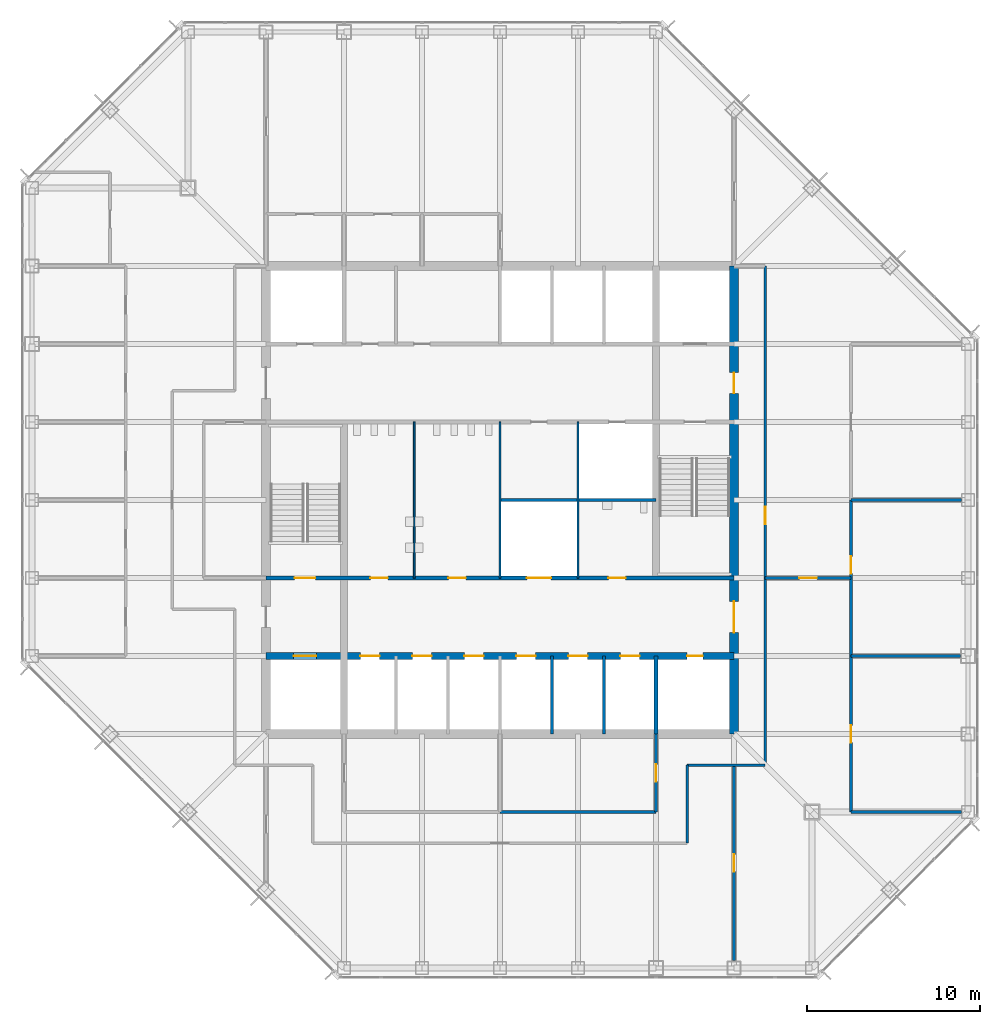
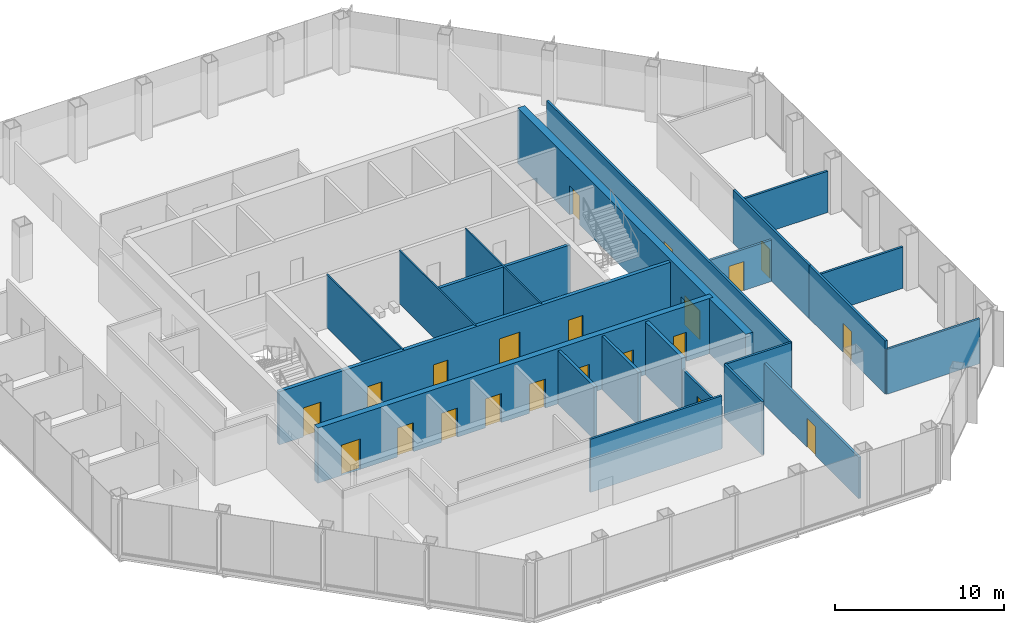
# One storey, part 9 of 13: 22 walls, 21 doors, 21 openings.
"""IFC4 building model written with IfcOpenShell, lengths in metres."""

from ifc_helpers import new_model, si_unit, direction, frame, frame_2d, origin, place, context, subcontext, project, spatial, rectangle, extrude, material, layer, layer_set, type_object, element, fill, save


model = new_model("IFC4")

# Units and contexts
model_context = context("Model", 3, precision=1e-05, world=origin(), true_north=direction((0.0, 1.0)))
body_context = subcontext(model_context, "Body", "Model", "MODEL_VIEW")
ifc_project = project(units=[si_unit("LENGTHUNIT", "METRE"), si_unit("AREAUNIT", "SQUARE_METRE"), si_unit("VOLUMEUNIT", "CUBIC_METRE"), si_unit("PLANEANGLEUNIT", "RADIAN"), si_unit("MASSUNIT", "GRAM", prefix="KILO")], contexts=[model_context])

# Site, building, storey
site_placement = place(None, origin())
site = spatial("IfcSite", under=ifc_project, at=site_placement, CompositionType="ELEMENT")
building_placement = place(site_placement, origin())
building = spatial("IfcBuilding", under=site, at=building_placement, Name="Corais Broadcast Tower", CompositionType="ELEMENT")
storey_placement = place(building_placement, frame((0.0, 0.0, 151.60009765625)))
storey = spatial("IfcBuildingStorey", under=building, at=storey_placement, Name="L34", CompositionType="ELEMENT", Elevation=151.60009765625)

# Wall
ifc_material_1 = material(Name="Concrete blockwork class A, grouted, two-hour", Category="masonry")
ifc_layer_1 = layer(ifc_material_1, 0.25)
ifc_layer_set_1 = layer_set([ifc_layer_1], Name="Concrete blockwork class A, grouted, two-hour")
wall_type_1 = type_object("IfcWallType", Name="Core lobby wall 250", PredefinedType="SOLIDWALL", material=ifc_layer_set_1)
wall_1_placement = place(storey_placement, frame((36.0, 13.5, 0.0), z_axis=(0.0, 0.0, 1.0), x_axis=(0.0, 1.0, 0.0)))
element("IfcWall", 1, at=wall_1_placement, inside=storey, type_object=wall_type_1, Name="CL2 core shaft wall X36A L34", PredefinedType="SOLIDWALL", context=body_context, shape_type="SweptSolid", body=[
    extrude(rectangle(XDim=4.5, YDim=0.25, at=frame_2d((2.25, 0.0))), origin(), (0.0, 0.0, 1.0), 3.83984375),
])

# Wall, openings, doors
wall_2_placement = place(storey_placement, frame((13.5, 22.5, 0.0), z_axis=(0.0, 0.0, 1.0), x_axis=(1.0, 0.0, 0.0)))
wall_2 = element("IfcWall", 2, at=wall_2_placement, inside=storey, type_object=wall_type_1, Name="CL2 core lobby wall Y225 L34", PredefinedType="SOLIDWALL", context=body_context, shape_type="SweptSolid", body=[
    extrude(rectangle(XDim=27.0, YDim=0.25, at=frame_2d((13.5, 0.0))), origin(), (0.0, 0.0, 1.0), 3.83984375),
])
opening_1_placement = place(wall_2_placement, frame((1.64990234375, 0.0, 0.0)))
opening_1 = element("IfcOpeningElement", 3, at=opening_1_placement, cuts=wall_2, Name="Opening FD1", PredefinedType="OPENING", context=body_context, shape_type="SweptSolid", body=[
    extrude(rectangle(XDim=1.199951171875, YDim=2.10009765625, at=frame_2d((0.60009765625, 1.050048828125))), frame((0.0, 0.135009765625, 0.0), z_axis=(0.0, -1.0, 0.0), x_axis=(1.0, 0.0, 0.0)), (0.0, 0.0, 1.0), 0.27001953125),
])
opening_2_placement = place(wall_2_placement, frame((6.02490234375, 0.0, 0.0)))
opening_2 = element("IfcOpeningElement", 4, at=opening_2_placement, cuts=wall_2, Name="Opening WD1", PredefinedType="OPENING", context=body_context, shape_type="SweptSolid", body=[
    extrude(rectangle(XDim=1.0, YDim=2.10009765625, at=frame_2d((0.5, 1.050048828125))), frame((0.0, 0.135009765625, 0.0), z_axis=(0.0, -1.0, 0.0), x_axis=(1.0, 0.0, 0.0)), (0.0, 0.0, 1.0), 0.27001953125),
])
opening_3_placement = place(wall_2_placement, frame((10.52490234375, 0.0, 0.0)))
opening_3 = element("IfcOpeningElement", 5, at=opening_3_placement, cuts=wall_2, Name="Opening WD1", PredefinedType="OPENING", context=body_context, shape_type="SweptSolid", body=[
    extrude(rectangle(XDim=1.0, YDim=2.10009765625, at=frame_2d((0.5, 1.050048828125))), frame((0.0, 0.135009765625, 0.0), z_axis=(0.0, -1.0, 0.0), x_axis=(1.0, 0.0, 0.0)), (0.0, 0.0, 1.0), 0.27001953125),
])
opening_4_placement = place(wall_2_placement, frame((19.75, 0.0, 0.0)))
opening_4 = element("IfcOpeningElement", 6, at=opening_4_placement, cuts=wall_2, Name="Opening WD1", PredefinedType="OPENING", context=body_context, shape_type="SweptSolid", body=[
    extrude(rectangle(XDim=1.0, YDim=2.10009765625, at=frame_2d((0.5, 1.050048828125))), frame((0.0, 0.135009765625, 0.0), z_axis=(0.0, -1.0, 0.0), x_axis=(1.0, 0.0, 0.0)), (0.0, 0.0, 1.0), 0.27001953125),
])
opening_5_placement = place(wall_2_placement, frame((15.050048828125, 0.0, 0.0)))
opening_5 = element("IfcOpeningElement", 7, at=opening_5_placement, cuts=wall_2, Name="Opening LD3", PredefinedType="OPENING", context=body_context, shape_type="SweptSolid", body=[
    extrude(rectangle(XDim=1.39990234375, YDim=2.39990234375, at=frame_2d((0.699951171875, 1.199951171875))), frame((0.0, 0.135009765625, 0.0), z_axis=(0.0, -1.0, 0.0), x_axis=(1.0, 0.0, 0.0)), (0.0, 0.0, 1.0), 0.27001953125),
])
ifc_material_2 = material(Name="Steel fire door", Category="steel")
door_type_1 = type_object("IfcDoorType", Name="Fire door 1200x2100", OperationType="SINGLE_SWING_LEFT", PredefinedType="DOOR", material=ifc_material_2)
door_1_placement = place(opening_1_placement, origin())
door_1 = element("IfcDoor", 8, at=door_1_placement, inside=storey, type_object=door_type_1, Name="FD1 stair A door L34", OperationType="SINGLE_SWING_LEFT", OverallHeight=2.10009765625, OverallWidth=1.199951171875, PredefinedType="DOOR", context=body_context, shape_type="SweptSolid", body=[
    extrude(rectangle(XDim=1.199951171875, YDim=2.10009765625, at=frame_2d((0.60009765625, 1.050048828125))), frame((0.0, 0.02490234375, 0.0), z_axis=(0.0, -1.0, 0.0), x_axis=(1.0, 0.0, 0.0)), (0.0, 0.0, 1.0), 0.050048828125),
])
fill(opening_1, door_1)
ifc_material_3 = material(Name="Stainless steel lift door", Category="steel")
door_type_2 = type_object("IfcDoorType", Name="Service lift landing door 1400x2400", OperationType="SLIDING_TO_LEFT", PredefinedType="DOOR", material=ifc_material_3)
door_2_placement = place(opening_5_placement, origin())
door_2 = element("IfcDoor", 9, at=door_2_placement, inside=storey, type_object=door_type_2, Name="LD3 SL1 landing door L34", OperationType="SLIDING_TO_LEFT", OverallHeight=2.39990234375, OverallWidth=1.39990234375, PredefinedType="DOOR", context=body_context, shape_type="SweptSolid", body=[
    extrude(rectangle(XDim=1.39990234375, YDim=2.39990234375, at=frame_2d((0.699951171875, 1.199951171875))), frame((0.0, 0.02490234375, 0.0), z_axis=(0.0, -1.0, 0.0), x_axis=(1.0, 0.0, 0.0)), (0.0, 0.0, 1.0), 0.050048828125),
])
fill(opening_5, door_2)
ifc_material_4 = material(Name="Timber door", Category="wood")
door_type_3 = type_object("IfcDoorType", Name="Toilet door 1000x2100", OperationType="SINGLE_SWING_LEFT", PredefinedType="DOOR", material=ifc_material_4)
door_3_placement = place(opening_2_placement, origin())
door_3 = element("IfcDoor", 10, at=door_3_placement, inside=storey, type_object=door_type_3, Name="WD1 WC male door L34", OperationType="SINGLE_SWING_LEFT", OverallHeight=2.10009765625, OverallWidth=1.0, PredefinedType="DOOR", context=body_context, shape_type="SweptSolid", body=[
    extrude(rectangle(XDim=1.0, YDim=2.10009765625, at=frame_2d((0.5, 1.050048828125))), frame((0.0, 0.02490234375, 0.0), z_axis=(0.0, -1.0, 0.0), x_axis=(1.0, 0.0, 0.0)), (0.0, 0.0, 1.0), 0.050048828125),
])
fill(opening_2, door_3)
door_4_placement = place(opening_3_placement, origin())
door_4 = element("IfcDoor", 11, at=door_4_placement, inside=storey, type_object=door_type_3, Name="WD1 WC female door L34", OperationType="SINGLE_SWING_LEFT", OverallHeight=2.10009765625, OverallWidth=1.0, PredefinedType="DOOR", context=body_context, shape_type="SweptSolid", body=[
    extrude(rectangle(XDim=1.0, YDim=2.10009765625, at=frame_2d((0.5, 1.050048828125))), frame((0.0, 0.02490234375, 0.0), z_axis=(0.0, -1.0, 0.0), x_axis=(1.0, 0.0, 0.0)), (0.0, 0.0, 1.0), 0.050048828125),
])
fill(opening_3, door_4)
door_5_placement = place(opening_4_placement, origin())
door_5 = element("IfcDoor", 12, at=door_5_placement, inside=storey, type_object=door_type_3, Name="WD1 accessible WC door L34", OperationType="SINGLE_SWING_RIGHT", OverallHeight=2.10009765625, OverallWidth=1.0, PredefinedType="DOOR", context=body_context, shape_type="SweptSolid", body=[
    extrude(rectangle(XDim=1.0, YDim=2.10009765625, at=frame_2d((0.5, 1.050048828125))), frame((0.0, 0.02490234375, 0.0), z_axis=(0.0, -1.0, 0.0), x_axis=(1.0, 0.0, 0.0)), (0.0, 0.0, 1.0), 0.050048828125),
])
fill(opening_4, door_5)

ifc_material_5 = material(Name="Concrete C50/60", Category="concrete")
ifc_layer_2 = layer(ifc_material_5, 0.39990234375)
ifc_layer_set_2 = layer_set([ifc_layer_2], Name="Concrete C50/60")
wall_type_2 = type_object("IfcWallType", Name="Core wall 400", PredefinedType="SHEAR", material=ifc_layer_set_2)
wall_3_placement = place(storey_placement, frame((13.5, 18.0, 0.0), z_axis=(0.0, 0.0, 1.0), x_axis=(1.0, 0.0, 0.0)))
wall_3 = element("IfcWall", 13, at=wall_3_placement, inside=storey, type_object=wall_type_2, Name="CR400 core wall Y18 L34", PredefinedType="SHEAR", context=body_context, shape_type="SweptSolid", body=[
    extrude(rectangle(XDim=27.0, YDim=0.39990234375, at=frame_2d((13.5, 0.0))), origin(), (0.0, 0.0, 1.0), 4.0),
])
opening_6_placement = place(wall_3_placement, frame((24.300048828125, 0.0, 0.0)))
opening_6 = element("IfcOpeningElement", 14, at=opening_6_placement, cuts=wall_3, Name="Opening RD1", PredefinedType="OPENING", context=body_context, shape_type="SweptSolid", body=[
    extrude(rectangle(XDim=0.89990234375, YDim=2.10009765625, at=frame_2d((0.449951171875, 1.050048828125))), frame((0.0, 0.2099609375, 0.0), z_axis=(0.0, -1.0, 0.0), x_axis=(1.0, 0.0, 0.0)), (0.0, 0.0, 1.0), 0.419921875),
])
opening_7_placement = place(wall_3_placement, frame((5.449951171875, 0.0, 0.0)))
opening_7 = element("IfcOpeningElement", 15, at=opening_7_placement, cuts=wall_3, Name="Opening LD1", PredefinedType="OPENING", context=body_context, shape_type="SweptSolid", body=[
    extrude(rectangle(XDim=1.10009765625, YDim=2.10009765625, at=frame_2d((0.550048828125, 1.050048828125))), frame((0.0, 0.2099609375, 0.0), z_axis=(0.0, -1.0, 0.0), x_axis=(1.0, 0.0, 0.0)), (0.0, 0.0, 1.0), 0.419921875),
])
opening_8_placement = place(wall_3_placement, frame((8.449951171875, 0.0, 0.0)))
opening_8 = element("IfcOpeningElement", 16, at=opening_8_placement, cuts=wall_3, Name="Opening LD1", PredefinedType="OPENING", context=body_context, shape_type="SweptSolid", body=[
    extrude(rectangle(XDim=1.10009765625, YDim=2.10009765625, at=frame_2d((0.550048828125, 1.050048828125))), frame((0.0, 0.2099609375, 0.0), z_axis=(0.0, -1.0, 0.0), x_axis=(1.0, 0.0, 0.0)), (0.0, 0.0, 1.0), 0.419921875),
])
opening_9_placement = place(wall_3_placement, frame((11.449951171875, 0.0, 0.0)))
opening_9 = element("IfcOpeningElement", 17, at=opening_9_placement, cuts=wall_3, Name="Opening LD1", PredefinedType="OPENING", context=body_context, shape_type="SweptSolid", body=[
    extrude(rectangle(XDim=1.10009765625, YDim=2.10009765625, at=frame_2d((0.550048828125, 1.050048828125))), frame((0.0, 0.2099609375, 0.0), z_axis=(0.0, -1.0, 0.0), x_axis=(1.0, 0.0, 0.0)), (0.0, 0.0, 1.0), 0.419921875),
])
opening_10_placement = place(wall_3_placement, frame((14.449951171875, 0.0, 0.0)))
opening_10 = element("IfcOpeningElement", 18, at=opening_10_placement, cuts=wall_3, Name="Opening LD1", PredefinedType="OPENING", context=body_context, shape_type="SweptSolid", body=[
    extrude(rectangle(XDim=1.10009765625, YDim=2.10009765625, at=frame_2d((0.550048828125, 1.050048828125))), frame((0.0, 0.2099609375, 0.0), z_axis=(0.0, -1.0, 0.0), x_axis=(1.0, 0.0, 0.0)), (0.0, 0.0, 1.0), 0.419921875),
])
opening_11_placement = place(wall_3_placement, frame((17.449951171875, 0.0, 0.0)))
opening_11 = element("IfcOpeningElement", 19, at=opening_11_placement, cuts=wall_3, Name="Opening LD1", PredefinedType="OPENING", context=body_context, shape_type="SweptSolid", body=[
    extrude(rectangle(XDim=1.10009765625, YDim=2.10009765625, at=frame_2d((0.550048828125, 1.050048828125))), frame((0.0, 0.2099609375, 0.0), z_axis=(0.0, -1.0, 0.0), x_axis=(1.0, 0.0, 0.0)), (0.0, 0.0, 1.0), 0.419921875),
])
opening_12_placement = place(wall_3_placement, frame((20.449951171875, 0.0, 0.0)))
opening_12 = element("IfcOpeningElement", 20, at=opening_12_placement, cuts=wall_3, Name="Opening LD1", PredefinedType="OPENING", context=body_context, shape_type="SweptSolid", body=[
    extrude(rectangle(XDim=1.10009765625, YDim=2.10009765625, at=frame_2d((0.550048828125, 1.050048828125))), frame((0.0, 0.2099609375, 0.0), z_axis=(0.0, -1.0, 0.0), x_axis=(1.0, 0.0, 0.0)), (0.0, 0.0, 1.0), 0.419921875),
])
opening_13_placement = place(wall_3_placement, frame((1.60009765625, 0.0, 0.0)))
opening_13 = element("IfcOpeningElement", 21, at=opening_13_placement, cuts=wall_3, Name="Opening LD2", PredefinedType="OPENING", context=body_context, shape_type="SweptSolid", body=[
    extrude(rectangle(XDim=1.300048828125, YDim=2.199951171875, at=frame_2d((0.64990234375, 1.10009765625))), frame((0.0, 0.2099609375, 0.0), z_axis=(0.0, -1.0, 0.0), x_axis=(1.0, 0.0, 0.0)), (0.0, 0.0, 1.0), 0.419921875),
])
ifc_material_6 = material(Name="Stainless steel lift door", Category="steel")
door_type_4 = type_object("IfcDoorType", Name="Lift landing door 1100x2100", OperationType="SLIDING_TO_LEFT", PredefinedType="DOOR", material=ifc_material_6)
door_6_placement = place(opening_7_placement, origin())
door_6 = element("IfcDoor", 22, at=door_6_placement, inside=storey, type_object=door_type_4, Name="LD1 PM1 landing door L34", OperationType="SLIDING_TO_LEFT", OverallHeight=2.10009765625, OverallWidth=1.10009765625, PredefinedType="DOOR", context=body_context, shape_type="SweptSolid", body=[
    extrude(rectangle(XDim=1.10009765625, YDim=2.10009765625, at=frame_2d((0.550048828125, 1.050048828125))), frame((0.0, 0.02490234375, 0.0), z_axis=(0.0, -1.0, 0.0), x_axis=(1.0, 0.0, 0.0)), (0.0, 0.0, 1.0), 0.050048828125),
])
fill(opening_7, door_6)
door_7_placement = place(opening_8_placement, origin())
door_7 = element("IfcDoor", 23, at=door_7_placement, inside=storey, type_object=door_type_4, Name="LD1 PM2 landing door L34", OperationType="SLIDING_TO_LEFT", OverallHeight=2.10009765625, OverallWidth=1.10009765625, PredefinedType="DOOR", context=body_context, shape_type="SweptSolid", body=[
    extrude(rectangle(XDim=1.10009765625, YDim=2.10009765625, at=frame_2d((0.550048828125, 1.050048828125))), frame((0.0, 0.02490234375, 0.0), z_axis=(0.0, -1.0, 0.0), x_axis=(1.0, 0.0, 0.0)), (0.0, 0.0, 1.0), 0.050048828125),
])
fill(opening_8, door_7)
door_8_placement = place(opening_9_placement, origin())
door_8 = element("IfcDoor", 24, at=door_8_placement, inside=storey, type_object=door_type_4, Name="LD1 PM3 landing door L34", OperationType="SLIDING_TO_LEFT", OverallHeight=2.10009765625, OverallWidth=1.10009765625, PredefinedType="DOOR", context=body_context, shape_type="SweptSolid", body=[
    extrude(rectangle(XDim=1.10009765625, YDim=2.10009765625, at=frame_2d((0.550048828125, 1.050048828125))), frame((0.0, 0.02490234375, 0.0), z_axis=(0.0, -1.0, 0.0), x_axis=(1.0, 0.0, 0.0)), (0.0, 0.0, 1.0), 0.050048828125),
])
fill(opening_9, door_8)
door_9_placement = place(opening_10_placement, origin())
door_9 = element("IfcDoor", 25, at=door_9_placement, inside=storey, type_object=door_type_4, Name="LD1 PM4 landing door L34", OperationType="SLIDING_TO_LEFT", OverallHeight=2.10009765625, OverallWidth=1.10009765625, PredefinedType="DOOR", context=body_context, shape_type="SweptSolid", body=[
    extrude(rectangle(XDim=1.10009765625, YDim=2.10009765625, at=frame_2d((0.550048828125, 1.050048828125))), frame((0.0, 0.02490234375, 0.0), z_axis=(0.0, -1.0, 0.0), x_axis=(1.0, 0.0, 0.0)), (0.0, 0.0, 1.0), 0.050048828125),
])
fill(opening_10, door_9)
door_10_placement = place(opening_11_placement, origin())
door_10 = element("IfcDoor", 26, at=door_10_placement, inside=storey, type_object=door_type_4, Name="LD1 PM5 landing door L34", OperationType="SLIDING_TO_LEFT", OverallHeight=2.10009765625, OverallWidth=1.10009765625, PredefinedType="DOOR", context=body_context, shape_type="SweptSolid", body=[
    extrude(rectangle(XDim=1.10009765625, YDim=2.10009765625, at=frame_2d((0.550048828125, 1.050048828125))), frame((0.0, 0.02490234375, 0.0), z_axis=(0.0, -1.0, 0.0), x_axis=(1.0, 0.0, 0.0)), (0.0, 0.0, 1.0), 0.050048828125),
])
fill(opening_11, door_10)
door_11_placement = place(opening_12_placement, origin())
door_11 = element("IfcDoor", 27, at=door_11_placement, inside=storey, type_object=door_type_4, Name="LD1 PM6 landing door L34", OperationType="SLIDING_TO_LEFT", OverallHeight=2.10009765625, OverallWidth=1.10009765625, PredefinedType="DOOR", context=body_context, shape_type="SweptSolid", body=[
    extrude(rectangle(XDim=1.10009765625, YDim=2.10009765625, at=frame_2d((0.550048828125, 1.050048828125))), frame((0.0, 0.02490234375, 0.0), z_axis=(0.0, -1.0, 0.0), x_axis=(1.0, 0.0, 0.0)), (0.0, 0.0, 1.0), 0.050048828125),
])
fill(opening_12, door_11)
ifc_material_7 = material(Name="Stainless steel lift door", Category="steel")
door_type_5 = type_object("IfcDoorType", Name="Lift landing door 1300x2200", OperationType="SLIDING_TO_LEFT", PredefinedType="DOOR", material=ifc_material_7)
door_12_placement = place(opening_13_placement, origin())
door_12 = element("IfcDoor", 28, at=door_12_placement, inside=storey, type_object=door_type_5, Name="LD2 FL1 landing door L34", OperationType="SLIDING_TO_LEFT", OverallHeight=2.199951171875, OverallWidth=1.300048828125, PredefinedType="DOOR", context=body_context, shape_type="SweptSolid", body=[
    extrude(rectangle(XDim=1.300048828125, YDim=2.199951171875, at=frame_2d((0.64990234375, 1.10009765625))), frame((0.0, 0.02490234375, 0.0), z_axis=(0.0, -1.0, 0.0), x_axis=(1.0, 0.0, 0.0)), (0.0, 0.0, 1.0), 0.050048828125),
])
fill(opening_13, door_12)
ifc_material_8 = material(Name="Steel fire door", Category="steel")
door_type_6 = type_object("IfcDoorType", Name="Riser door 900x2100", OperationType="SINGLE_SWING_LEFT", PredefinedType="DOOR", material=ifc_material_8)
door_13_placement = place(opening_6_placement, origin())
door_13 = element("IfcDoor", 29, at=door_13_placement, inside=storey, type_object=door_type_6, Name="RD1 riser door L34", OperationType="SINGLE_SWING_RIGHT", OverallHeight=2.10009765625, OverallWidth=0.89990234375, PredefinedType="DOOR", context=body_context, shape_type="SweptSolid", body=[
    extrude(rectangle(XDim=0.89990234375, YDim=2.10009765625, at=frame_2d((0.449951171875, 1.050048828125))), frame((0.0, 0.02490234375, 0.0), z_axis=(0.0, -1.0, 0.0), x_axis=(1.0, 0.0, 0.0)), (0.0, 0.0, 1.0), 0.050048828125),
])
fill(opening_6, door_13)

ifc_material_9 = material(Name="Concrete C50/60", Category="concrete")
ifc_layer_3 = layer(ifc_material_9, 0.5)
ifc_layer_set_3 = layer_set([ifc_layer_3], Name="Concrete C50/60")
wall_type_3 = type_object("IfcWallType", Name="Core wall 500", PredefinedType="SHEAR", material=ifc_layer_set_3)
wall_4_placement = place(storey_placement, frame((40.5, 13.5, 0.0), z_axis=(0.0, 0.0, 1.0), x_axis=(0.0, 1.0, 0.0)))
wall_4 = element("IfcWall", 30, at=wall_4_placement, inside=storey, type_object=wall_type_3, Name="CR500 core wall E L34", PredefinedType="SHEAR", context=body_context, shape_type="SweptSolid", body=[
    extrude(rectangle(XDim=27.0, YDim=0.5, at=frame_2d((13.5, 0.0))), origin(), (0.0, 0.0, 1.0), 4.0),
])
opening_14_placement = place(wall_4_placement, frame((5.85009765625, 0.0, 0.0)))
opening_14 = element("IfcOpeningElement", 31, at=opening_14_placement, cuts=wall_4, Name="Opening FD2", PredefinedType="OPENING", context=body_context, shape_type="SweptSolid", body=[
    extrude(rectangle(XDim=1.800048828125, YDim=2.10009765625, at=frame_2d((0.89990234375, 1.050048828125))), frame((0.0, 0.260009765625, 0.0), z_axis=(0.0, -1.0, 0.0), x_axis=(1.0, 0.0, 0.0)), (0.0, 0.0, 1.0), 0.52001953125),
])
opening_15_placement = place(wall_4_placement, frame((19.64990234375, 0.0, 0.0)))
opening_15 = element("IfcOpeningElement", 32, at=opening_15_placement, cuts=wall_4, Name="Opening FD1", PredefinedType="OPENING", context=body_context, shape_type="SweptSolid", body=[
    extrude(rectangle(XDim=1.199951171875, YDim=2.10009765625, at=frame_2d((0.60009765625, 1.050048828125))), frame((0.0, 0.260009765625, 0.0), z_axis=(0.0, -1.0, 0.0), x_axis=(1.0, 0.0, 0.0)), (0.0, 0.0, 1.0), 0.52001953125),
])
door_14_placement = place(opening_15_placement, origin())
door_14 = element("IfcDoor", 33, at=door_14_placement, inside=storey, type_object=door_type_1, Name="FD1 fire lobby B door L34", OperationType="SINGLE_SWING_RIGHT", OverallHeight=2.10009765625, OverallWidth=1.199951171875, PredefinedType="DOOR", context=body_context, shape_type="SweptSolid", body=[
    extrude(rectangle(XDim=1.199951171875, YDim=2.10009765625, at=frame_2d((0.60009765625, 1.050048828125))), frame((0.0, 0.02490234375, 0.0), z_axis=(0.0, -1.0, 0.0), x_axis=(1.0, 0.0, 0.0)), (0.0, 0.0, 1.0), 0.050048828125),
])
fill(opening_15, door_14)
ifc_material_10 = material(Name="Steel fire door", Category="steel")
door_type_7 = type_object("IfcDoorType", Name="Fire door pair 1800x2100", OperationType="DOUBLE_DOOR_SINGLE_SWING", PredefinedType="DOOR", material=ifc_material_10)
door_15_placement = place(opening_14_placement, origin())
door_15 = element("IfcDoor", 34, at=door_15_placement, inside=storey, type_object=door_type_7, Name="FD2 lift lobby door L34", OperationType="SINGLE_SWING_LEFT", OverallHeight=2.10009765625, OverallWidth=1.800048828125, PredefinedType="DOOR", context=body_context, shape_type="SweptSolid", body=[
    extrude(rectangle(XDim=1.800048828125, YDim=2.10009765625, at=frame_2d((0.89990234375, 1.050048828125))), frame((0.0, 0.02490234375, 0.0), z_axis=(0.0, -1.0, 0.0), x_axis=(1.0, 0.0, 0.0)), (0.0, 0.0, 1.0), 0.050048828125),
])
fill(opening_14, door_15)

# Wall, opening, door
ifc_material_11 = material(Name="Gypsum board on steel studs", Category="steel")
ifc_layer_4 = layer(ifc_material_11, 0.14990234375)
ifc_layer_set_4 = layer_set([ifc_layer_4], Name="Gypsum board on steel studs")
wall_type_4 = type_object("IfcWallType", Name="Partition 150", PredefinedType="PARTITIONING", material=ifc_layer_set_4)
wall_5_placement = place(storey_placement, frame((42.300048828125, 11.699951171875, 0.0), z_axis=(0.0, 0.0, 1.0), x_axis=(0.0, 1.0, 0.0)))
wall_5 = element("IfcWall", 35, at=wall_5_placement, inside=storey, type_object=wall_type_4, Name="IW3 corridor wall L34", PredefinedType="PARTITIONING", context=body_context, shape_type="SweptSolid", body=[
    extrude(rectangle(XDim=28.800048828125, YDim=0.14990234375, at=frame_2d((14.39990234375, 0.0))), origin(), (0.0, 0.0, 1.0), 3.83984375),
])
opening_16_placement = place(wall_5_placement, frame((13.89990234375, 0.0, 0.0)))
opening_16 = element("IfcOpeningElement", 36, at=opening_16_placement, cuts=wall_5, Name="Opening D1", PredefinedType="OPENING", context=body_context, shape_type="SweptSolid", body=[
    extrude(rectangle(XDim=1.0, YDim=2.10009765625, at=frame_2d((0.5, 1.050048828125))), frame((0.0, 0.0849609375, 0.0), z_axis=(0.0, -1.0, 0.0), x_axis=(1.0, 0.0, 0.0)), (0.0, 0.0, 1.0), 0.169921875),
])
ifc_material_12 = material(Name="Timber door", Category="wood")
door_type_8 = type_object("IfcDoorType", Name="Single door 1000x2100", OperationType="SINGLE_SWING_LEFT", PredefinedType="DOOR", material=ifc_material_12)
door_16_placement = place(opening_16_placement, origin())
door_16 = element("IfcDoor", 37, at=door_16_placement, inside=storey, type_object=door_type_8, Name="D1 workplace door L34", OperationType="SINGLE_SWING_LEFT", OverallHeight=2.10009765625, OverallWidth=1.0, PredefinedType="DOOR", context=body_context, shape_type="SweptSolid", body=[
    extrude(rectangle(XDim=1.0, YDim=2.10009765625, at=frame_2d((0.5, 1.050048828125))), frame((0.0, 0.02490234375, 0.0), z_axis=(0.0, -1.0, 0.0), x_axis=(1.0, 0.0, 0.0)), (0.0, 0.0, 1.0), 0.050048828125),
])
fill(opening_16, door_16)

# Walls
for number, where, z_axis, x_axis, name in (
    (38, (37.800048828125, 7.199951171875, 0.0), (0.0, 0.0, 1.0), (0.0, 1.0, 0.0), "IW3 corridor wall L34"),
    (39, (37.800048828125, 11.699951171875, 0.0), (0.0, 0.0, 1.0), (1.0, 0.0, 0.0), "IW3 corridor wall L34"),
):
    element("IfcWall", number, at=place(storey_placement, frame(where, z_axis=z_axis, x_axis=x_axis)), inside=storey, type_object=wall_type_4, Name=name, PredefinedType="PARTITIONING", context=body_context, shape_type="SweptSolid", body=[
        extrude(rectangle(XDim=4.5, YDim=0.14990234375, at=frame_2d((2.25, 0.0))), origin(), (0.0, 0.0, 1.0), 3.83984375),
    ])
wall_6_placement = place(storey_placement, frame((47.25, 9.0, 0.0), z_axis=(0.0, 0.0, 1.0), x_axis=(1.0, 0.0, 0.0)))
element("IfcWall", 40, at=wall_6_placement, inside=storey, type_object=wall_type_4, Name="IW3 partition L34", PredefinedType="PARTITIONING", context=body_context, shape_type="SweptSolid", body=[
    extrude(rectangle(XDim=6.364990234375, YDim=0.14990234375, at=frame_2d((3.1826171875, 0.0))), origin(), (0.0, 0.0, 1.0), 3.22900390625),
])
wall_7_placement = place(storey_placement, frame((53.56494140625, 18.0, 0.0), z_axis=(0.0, 0.0, 1.0), x_axis=(-1.0, 0.0, 0.0)))
element("IfcWall", 41, at=wall_7_placement, inside=storey, type_object=wall_type_4, Name="IW3 partition L34", PredefinedType="PARTITIONING", context=body_context, shape_type="SweptSolid", body=[
    extrude(rectangle(XDim=6.31494140625, YDim=0.14990234375, at=frame_2d((3.157470703125, 0.0))), origin(), (0.0, 0.0, 1.0), 2.989013671875),
])

# Wall, opening, door
wall_8_placement = place(storey_placement, frame((47.25, 18.0, 0.0), z_axis=(0.0, 0.0, 1.0), x_axis=(0.0, -1.0, 0.0)))
wall_8 = element("IfcWall", 42, at=wall_8_placement, inside=storey, type_object=wall_type_4, Name="IW3 partition L34", PredefinedType="PARTITIONING", context=body_context, shape_type="SweptSolid", body=[
    extrude(rectangle(XDim=9.0, YDim=0.14990234375, at=frame_2d((4.5, 0.0))), origin(), (0.0, 0.0, 1.0), 3.83984375),
])
opening_17_placement = place(wall_8_placement, frame((4.0, 0.0, 0.0)))
opening_17 = element("IfcOpeningElement", 43, at=opening_17_placement, cuts=wall_8, Name="Opening D1", PredefinedType="OPENING", context=body_context, shape_type="SweptSolid", body=[
    extrude(rectangle(XDim=1.0, YDim=2.10009765625, at=frame_2d((0.5, 1.050048828125))), frame((0.0, 0.0849609375, 0.0), z_axis=(0.0, -1.0, 0.0), x_axis=(1.0, 0.0, 0.0)), (0.0, 0.0, 1.0), 0.169921875),
])
door_17_placement = place(opening_17_placement, origin())
door_17 = element("IfcDoor", 44, at=door_17_placement, inside=storey, type_object=door_type_8, Name="D1 Creative office door", OperationType="SINGLE_SWING_LEFT", OverallHeight=2.10009765625, OverallWidth=1.0, PredefinedType="DOOR", context=body_context, shape_type="SweptSolid", body=[
    extrude(rectangle(XDim=1.0, YDim=2.10009765625, at=frame_2d((0.5, 1.050048828125))), frame((0.0, 0.02490234375, 0.0), z_axis=(0.0, -1.0, 0.0), x_axis=(1.0, 0.0, 0.0)), (0.0, 0.0, 1.0), 0.050048828125),
])
fill(opening_17, door_17)

# Wall
wall_9_placement = place(storey_placement, frame((53.614990234375, 27.0, 0.0), z_axis=(0.0, 0.0, 1.0), x_axis=(-1.0, 0.0, 0.0)))
element("IfcWall", 45, at=wall_9_placement, inside=storey, type_object=wall_type_4, Name="IW3 partition L34", PredefinedType="PARTITIONING", context=body_context, shape_type="SweptSolid", body=[
    extrude(rectangle(XDim=6.364990234375, YDim=0.14990234375, at=frame_2d((3.1826171875, 0.0))), origin(), (0.0, 0.0, 1.0), 2.989013671875),
])

# Wall, opening, door
wall_10_placement = place(storey_placement, frame((47.25, 27.0, 0.0), z_axis=(0.0, 0.0, 1.0), x_axis=(0.0, -1.0, 0.0)))
wall_10 = element("IfcWall", 46, at=wall_10_placement, inside=storey, type_object=wall_type_4, Name="IW3 partition L34", PredefinedType="PARTITIONING", context=body_context, shape_type="SweptSolid", body=[
    extrude(rectangle(XDim=9.0, YDim=0.14990234375, at=frame_2d((4.5, 0.0))), origin(), (0.0, 0.0, 1.0), 3.83984375),
])
opening_18_placement = place(wall_10_placement, frame((3.25, 0.0, 0.0)))
opening_18 = element("IfcOpeningElement", 47, at=opening_18_placement, cuts=wall_10, Name="Opening D1", PredefinedType="OPENING", context=body_context, shape_type="SweptSolid", body=[
    extrude(rectangle(XDim=1.0, YDim=2.10009765625, at=frame_2d((0.5, 1.050048828125))), frame((0.0, 0.0849609375, 0.0), z_axis=(0.0, -1.0, 0.0), x_axis=(1.0, 0.0, 0.0)), (0.0, 0.0, 1.0), 0.169921875),
])
door_18_placement = place(opening_18_placement, origin())
door_18 = element("IfcDoor", 48, at=door_18_placement, inside=storey, type_object=door_type_8, Name="D1 Creative office door", OperationType="SINGLE_SWING_LEFT", OverallHeight=2.10009765625, OverallWidth=1.0, PredefinedType="DOOR", context=body_context, shape_type="SweptSolid", body=[
    extrude(rectangle(XDim=1.0, YDim=2.10009765625, at=frame_2d((0.5, 1.050048828125))), frame((0.0, 0.02490234375, 0.0), z_axis=(0.0, -1.0, 0.0), x_axis=(1.0, 0.0, 0.0)), (0.0, 0.0, 1.0), 0.050048828125),
])
fill(opening_18, door_18)

# Wall
wall_11_placement = place(storey_placement, frame((27.0, 9.0, 0.0), z_axis=(0.0, 0.0, 1.0), x_axis=(1.0, 0.0, 0.0)))
element("IfcWall", 49, at=wall_11_placement, inside=storey, type_object=wall_type_4, Name="IW3 partition L34", PredefinedType="PARTITIONING", context=body_context, shape_type="SweptSolid", body=[
    extrude(rectangle(XDim=9.0, YDim=0.14990234375, at=frame_2d((4.5, 0.0))), origin(), (0.0, 0.0, 1.0), 3.83984375),
])

# Wall, opening, door
wall_12_placement = place(storey_placement, frame((36.0, 9.0, 0.0), z_axis=(0.0, 0.0, 1.0), x_axis=(0.0, 1.0, 0.0)))
wall_12 = element("IfcWall", 50, at=wall_12_placement, inside=storey, type_object=wall_type_4, Name="IW3 partition L34", PredefinedType="PARTITIONING", context=body_context, shape_type="SweptSolid", body=[
    extrude(rectangle(XDim=4.5, YDim=0.14990234375, at=frame_2d((2.25, 0.0))), origin(), (0.0, 0.0, 1.0), 2.989013671875),
])
opening_19_placement = place(wall_12_placement, frame((1.75, 0.0, 0.0)))
opening_19 = element("IfcOpeningElement", 51, at=opening_19_placement, cuts=wall_12, Name="Opening D1", PredefinedType="OPENING", context=body_context, shape_type="SweptSolid", body=[
    extrude(rectangle(XDim=1.0, YDim=2.10009765625, at=frame_2d((0.5, 1.050048828125))), frame((0.0, 0.0849609375, 0.0), z_axis=(0.0, -1.0, 0.0), x_axis=(1.0, 0.0, 0.0)), (0.0, 0.0, 1.0), 0.169921875),
])
door_19_placement = place(opening_19_placement, origin())
door_19 = element("IfcDoor", 52, at=door_19_placement, inside=storey, type_object=door_type_8, Name="D1 Meeting room door", OperationType="SINGLE_SWING_LEFT", OverallHeight=2.10009765625, OverallWidth=1.0, PredefinedType="DOOR", context=body_context, shape_type="SweptSolid", body=[
    extrude(rectangle(XDim=1.0, YDim=2.10009765625, at=frame_2d((0.5, 1.050048828125))), frame((0.0, 0.02490234375, 0.0), z_axis=(0.0, -1.0, 0.0), x_axis=(1.0, 0.0, 0.0)), (0.0, 0.0, 1.0), 0.050048828125),
])
fill(opening_19, door_19)

wall_13_placement = place(storey_placement, frame((40.5, 0.419921875, 0.0), z_axis=(0.0, 0.0, 1.0), x_axis=(0.0, 1.0, 0.0)))
wall_13 = element("IfcWall", 53, at=wall_13_placement, inside=storey, type_object=wall_type_4, Name="IW3 partition L34", PredefinedType="PARTITIONING", context=body_context, shape_type="SweptSolid", body=[
    extrude(rectangle(XDim=11.280029296875, YDim=0.14990234375, at=frame_2d((5.64013671875, 0.0))), origin(), (0.0, 0.0, 1.0), 2.989013671875),
])
opening_20_placement = place(wall_13_placement, frame((5.139892578125, 0.0, 0.0)))
opening_20 = element("IfcOpeningElement", 54, at=opening_20_placement, cuts=wall_13, Name="Opening D1", PredefinedType="OPENING", context=body_context, shape_type="SweptSolid", body=[
    extrude(rectangle(XDim=1.0, YDim=2.10009765625, at=frame_2d((0.5, 1.050048828125))), frame((0.0, 0.0849609375, 0.0), z_axis=(0.0, -1.0, 0.0), x_axis=(1.0, 0.0, 0.0)), (0.0, 0.0, 1.0), 0.169921875),
])
door_20_placement = place(opening_20_placement, origin())
door_20 = element("IfcDoor", 55, at=door_20_placement, inside=storey, type_object=door_type_8, Name="D1 team room door L34", OperationType="SINGLE_SWING_LEFT", OverallHeight=2.10009765625, OverallWidth=1.0, PredefinedType="DOOR", context=body_context, shape_type="SweptSolid", body=[
    extrude(rectangle(XDim=1.0, YDim=2.10009765625, at=frame_2d((0.5, 1.050048828125))), frame((0.0, 0.02490234375, 0.0), z_axis=(0.0, -1.0, 0.0), x_axis=(1.0, 0.0, 0.0)), (0.0, 0.0, 1.0), 0.050048828125),
])
fill(opening_20, door_20)

wall_14_placement = place(storey_placement, frame((42.300048828125, 22.5, 0.0), z_axis=(0.0, 0.0, 1.0), x_axis=(1.0, 0.0, 0.0)))
wall_14 = element("IfcWall", 56, at=wall_14_placement, inside=storey, type_object=wall_type_4, Name="IW3 partition L34", PredefinedType="PARTITIONING", context=body_context, shape_type="SweptSolid", body=[
    extrude(rectangle(XDim=4.949951171875, YDim=0.14990234375, at=frame_2d((2.47509765625, 0.0))), origin(), (0.0, 0.0, 1.0), 2.989013671875),
])
opening_21_placement = place(wall_14_placement, frame((1.97509765625, 0.0, 0.0)))
opening_21 = element("IfcOpeningElement", 57, at=opening_21_placement, cuts=wall_14, Name="Opening D1", PredefinedType="OPENING", context=body_context, shape_type="SweptSolid", body=[
    extrude(rectangle(XDim=1.0, YDim=2.10009765625, at=frame_2d((0.5, 1.050048828125))), frame((0.0, 0.0849609375, 0.0), z_axis=(0.0, -1.0, 0.0), x_axis=(1.0, 0.0, 0.0)), (0.0, 0.0, 1.0), 0.169921875),
])
door_21_placement = place(opening_21_placement, origin())
door_21 = element("IfcDoor", 58, at=door_21_placement, inside=storey, type_object=door_type_8, Name="D1 team room door L34", OperationType="SINGLE_SWING_LEFT", OverallHeight=2.10009765625, OverallWidth=1.0, PredefinedType="DOOR", context=body_context, shape_type="SweptSolid", body=[
    extrude(rectangle(XDim=1.0, YDim=2.10009765625, at=frame_2d((0.5, 1.050048828125))), frame((0.0, 0.02490234375, 0.0), z_axis=(0.0, -1.0, 0.0), x_axis=(1.0, 0.0, 0.0)), (0.0, 0.0, 1.0), 0.050048828125),
])
fill(opening_21, door_21)

# Walls
ifc_material_13 = material(Name="Concrete blockwork class A, grouted, two-hour", Category="masonry")
ifc_layer_5 = layer(ifc_material_13, 0.199951171875)
ifc_layer_set_5 = layer_set([ifc_layer_5], Name="Concrete blockwork class A, grouted, two-hour")
wall_type_5 = type_object("IfcWallType", Name="Shaft wall 200", PredefinedType="PARTITIONING", material=ifc_layer_set_5)
for number, where, z_axis, x_axis, name in (
    (59, (30.0, 13.5, 0.0), (0.0, 0.0, 1.0), (0.0, 1.0, 0.0), "IW1 shaft wall L34"),
    (60, (33.0, 13.5, 0.0), (0.0, 0.0, 1.0), (0.0, 1.0, 0.0), "IW1 shaft wall L34"),
):
    element("IfcWall", number, at=place(storey_placement, frame(where, z_axis=z_axis, x_axis=x_axis)), inside=storey, type_object=wall_type_5, Name=name, PredefinedType="PARTITIONING", context=body_context, shape_type="SweptSolid", body=[
        extrude(rectangle(XDim=4.5, YDim=0.199951171875, at=frame_2d((2.25, 0.0))), origin(), (0.0, 0.0, 1.0), 3.83984375),
    ])
wall_15_placement = place(storey_placement, frame((27.0, 27.0, 0.0), z_axis=(0.0, 0.0, 1.0), x_axis=(1.0, 0.0, 0.0)))
element("IfcWall", 61, at=wall_15_placement, inside=storey, type_object=wall_type_5, Name="IW1 shaft wall L34", PredefinedType="PARTITIONING", context=body_context, shape_type="SweptSolid", body=[
    extrude(rectangle(XDim=9.0, YDim=0.199951171875, at=frame_2d((4.5, 0.0))), origin(), (0.0, 0.0, 1.0), 3.83984375),
])
ifc_material_14 = material(Name="Dense concrete blockwork class A, tiled both faces", Category="masonry")
ifc_layer_6 = layer(ifc_material_14, 0.10009765625)
ifc_layer_set_6 = layer_set([ifc_layer_6], Name="Dense concrete blockwork class A, tiled both faces")
wall_type_6 = type_object("IfcWallType", Name="Toilet wall 100", PredefinedType="PLUMBINGWALL", material=ifc_layer_set_6)
for number, where, z_axis, x_axis, name in (
    (62, (22.050048828125, 22.5, 0.0), (0.0, 0.0, 1.0), (0.0, 1.0, 0.0), "IW2 toilet wall L34"),
    (63, (27.0, 22.5, 0.0), (0.0, 0.0, 1.0), (0.0, 1.0, 0.0), "IW2 toilet wall L34"),
    (64, (31.5, 22.5, 0.0), (0.0, 0.0, 1.0), (0.0, 1.0, 0.0), "IW2 toilet wall L34"),
):
    element("IfcWall", number, at=place(storey_placement, frame(where, z_axis=z_axis, x_axis=x_axis)), inside=storey, type_object=wall_type_6, Name=name, PredefinedType="PLUMBINGWALL", context=body_context, shape_type="SweptSolid", body=[
        extrude(rectangle(XDim=9.0, YDim=0.10009765625, at=frame_2d((4.5, 0.0))), origin(), (0.0, 0.0, 1.0), 3.83984375),
    ])

save(model, "model.ifc")
